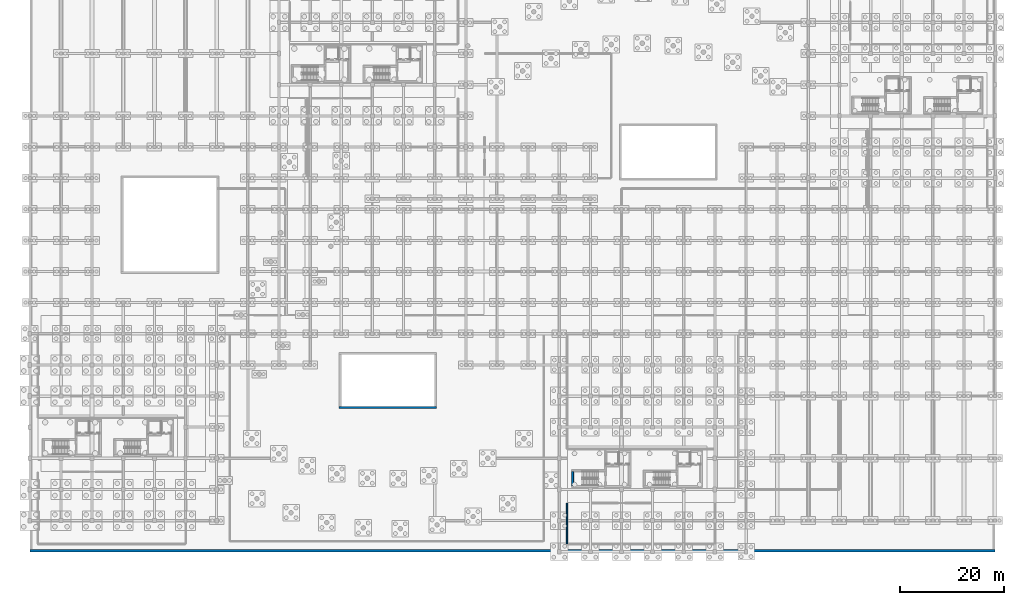
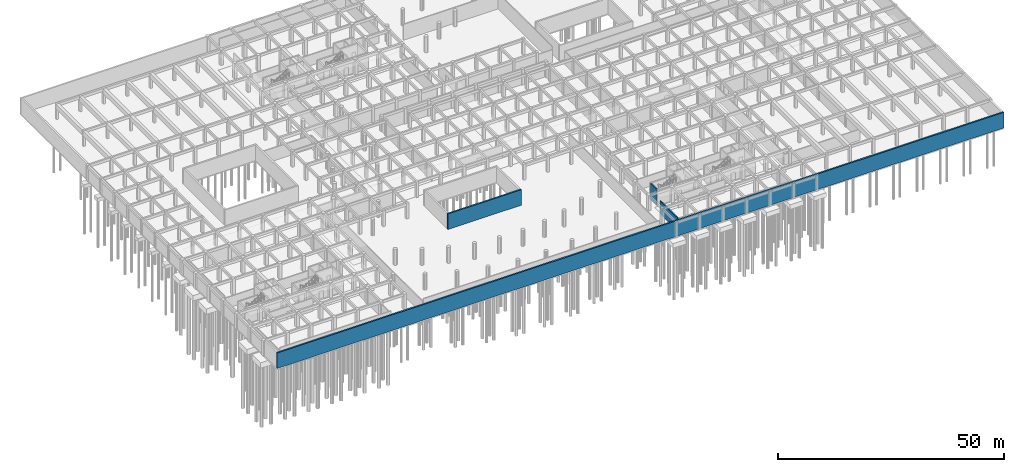
# One storey, part 26 of 41: 4 walls.
"""IFC4 building model written with IfcOpenShell, lengths in metres."""

from ifc_helpers import new_model, si_unit, direction, frame, frame_2d, origin, place, context, subcontext, project, spatial, rectangle, extrude, material, layer, layer_set, type_object, element, save


model = new_model("IFC4")

# Units and contexts
model_context = context("Model", 3, precision=1e-05, world=origin(), true_north=direction((0.0, 1.0)))
body_context = subcontext(model_context, "Body", "Model", "MODEL_VIEW")
ifc_project = project(units=[si_unit("LENGTHUNIT", "METRE"), si_unit("AREAUNIT", "SQUARE_METRE"), si_unit("VOLUMEUNIT", "CUBIC_METRE"), si_unit("PLANEANGLEUNIT", "RADIAN"), si_unit("MASSUNIT", "GRAM", prefix="KILO"), si_unit("POWERUNIT", "WATT"), si_unit("THERMODYNAMICTEMPERATUREUNIT", "KELVIN")], contexts=[model_context])

# Site, building, storey
site_placement = place(None, origin())
site = spatial("IfcSite", under=ifc_project, at=site_placement, CompositionType="ELEMENT")
building_placement = place(site_placement, origin())
building = spatial("IfcBuilding", under=site, at=building_placement, Name="Ruvembo Vaulted Housing Court", CompositionType="ELEMENT")
storey_placement = place(building_placement, frame((0.0, 0.0, -4.5)))
storey = spatial("IfcBuildingStorey", under=building, at=storey_placement, Name="B1", CompositionType="ELEMENT", Elevation=-4.5)

# Walls
ifc_material_1 = material(Name="Concrete C35/45", Category="concrete")
ifc_layer_1 = layer(ifc_material_1, 0.35009765625, Name="Concrete C35/45")
ifc_layer_set_1 = layer_set([ifc_layer_1], Name="Concrete C35/45")
wall_type_1 = type_object("IfcWallType", Name="WL-CORE-350", PredefinedType="SHEAR", material=ifc_layer_set_1)
wall_1_placement = place(storey_placement, frame((104.574951171875, 15.449951171875, 0.0), z_axis=(0.0, 0.0, 1.0), x_axis=(0.0, -1.0, 0.0)))
element("IfcWall", 1, at=wall_1_placement, inside=storey, type_object=wall_type_1, Name="Core C1 B1 Stair West Shear Wall", PredefinedType="SHEAR", context=body_context, shape_type="SweptSolid", body=[
    extrude(rectangle(XDim=2.699951171875, YDim=0.35009765625, at=frame_2d((1.35009765625, 0.0))), origin(), (0.0, 0.0, 1.0), 4.215087890625),
])
ifc_material_2 = material(Name="Concrete Blockwork 210", Category="masonry")
ifc_layer_2 = layer(ifc_material_2, 0.2099609375, Name="Concrete Blockwork 210")
ifc_layer_set_2 = layer_set([ifc_layer_2], Name="Concrete Blockwork 210")
wall_type_2 = type_object("IfcWallType", Name="WL-CORR-210", PredefinedType="SOLIDWALL", material=ifc_layer_set_2)
wall_2_placement = place(storey_placement, frame((103.5, 9.360107421875, 0.0), z_axis=(0.0, 0.0, 1.0), x_axis=(0.0, -1.0, 0.0)))
element("IfcWall", 2, at=wall_2_placement, inside=storey, type_object=wall_type_2, Name="B1 Cooperative Bulk Cold & Dry Stores WL-INT-B1-00020", PredefinedType="SOLIDWALL", context=body_context, shape_type="SweptSolid", body=[
    extrude(rectangle(XDim=7.820068359375, YDim=0.2099609375, at=frame_2d((3.91015625, 0.0))), origin(), (0.0, 0.0, 1.0), 3.547119140625),
])
ifc_layer_3 = layer(ifc_material_1, 0.39990234375, Name="Concrete C35/45")
ifc_layer_set_3 = layer_set([ifc_layer_3], Name="Concrete C35/45")
wall_type_3 = type_object("IfcWallType", Name="WL-RET-400", PredefinedType="USERDEFINED", material=ifc_layer_set_3)
wall_3_placement = place(storey_placement, frame((0.0, 0.199951171875, 0.0), z_axis=(0.0, 0.0, 1.0), x_axis=(1.0, 0.0, 0.0)))
element("IfcWall", 3, at=wall_3_placement, inside=storey, type_object=wall_type_3, Name="Basement Perimeter Retaining Wall S", ObjectType="RETAININGWALL", PredefinedType="USERDEFINED", context=body_context, shape_type="SweptSolid", body=[
    extrude(rectangle(XDim=186.0, YDim=0.39990234375, at=frame_2d((93.0, 0.0))), origin(), (0.0, 0.0, 1.0), 4.215087890625),
])
wall_4_placement = place(storey_placement, frame((59.60009765625, 27.800048828125, 0.0), z_axis=(0.0, 0.0, 1.0), x_axis=(1.0, 0.0, 0.0)))
element("IfcWall", 4, at=wall_4_placement, inside=storey, type_object=wall_type_3, Name="South Jacaranda Forecourt Tree-Pit Retaining Wall S", ObjectType="RETAININGWALL", PredefinedType="USERDEFINED", context=body_context, shape_type="SweptSolid", body=[
    extrude(rectangle(XDim=18.7998046875, YDim=0.39990234375, at=frame_2d((9.39990234375, 0.0))), origin(), (0.0, 0.0, 1.0), 4.215087890625),
])

save(model, "model.ifc")
